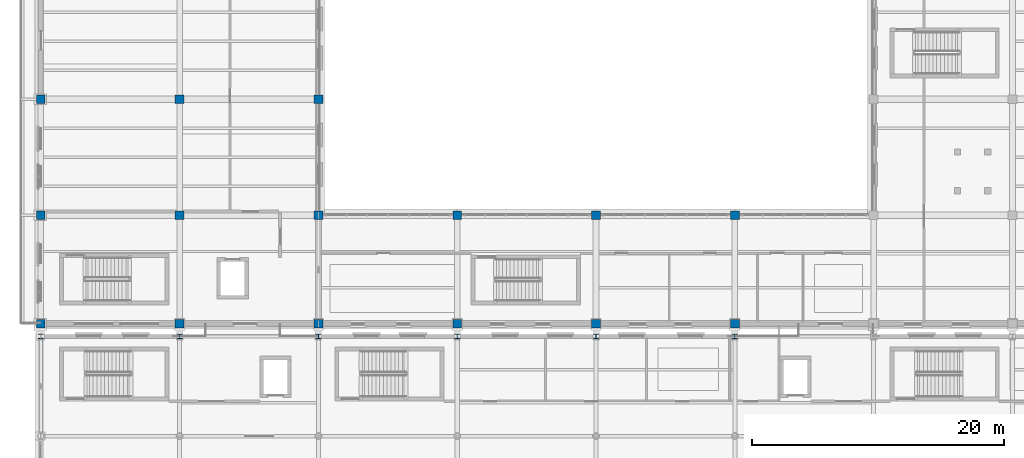
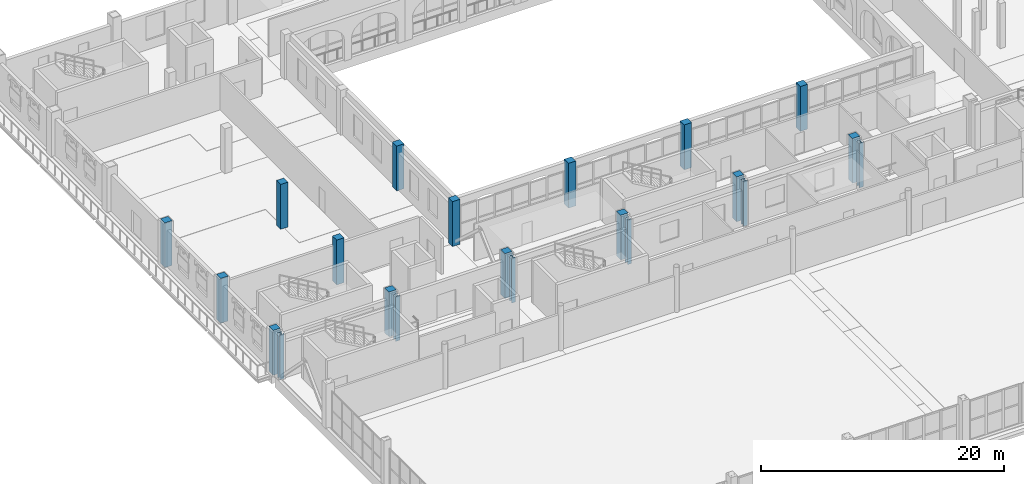
# One storey, part 5 of 156: 21 columns.
"""IFC4 building model written with IfcOpenShell, lengths in metres."""

from ifc_helpers import new_model, si_unit, direction, frame, origin, origin_2d, place, context, subcontext, project, spatial, rectangle, i_section, extrude, material, material_profile, profile_set, type_object, element, save


model = new_model("IFC4")

# Units and contexts
model_context = context("Model", 3, precision=1e-05, world=origin(), true_north=direction((0.0, 1.0)))
body_context = subcontext(model_context, "Body", "Model", "MODEL_VIEW")
ifc_project = project(units=[si_unit("LENGTHUNIT", "METRE"), si_unit("AREAUNIT", "SQUARE_METRE"), si_unit("VOLUMEUNIT", "CUBIC_METRE"), si_unit("PLANEANGLEUNIT", "RADIAN"), si_unit("MASSUNIT", "GRAM", prefix="KILO")], contexts=[model_context])

# Site, building, storey
site_placement = place(None, origin())
site = spatial("IfcSite", under=ifc_project, at=site_placement, CompositionType="ELEMENT")
building_placement = place(site_placement, origin())
building = spatial("IfcBuilding", under=site, at=building_placement, Name="Caurita Quay Ferry Terminal", CompositionType="ELEMENT")
storey_placement = place(building_placement, frame((0.0, 0.0, 5.39990234375)))
storey = spatial("IfcBuildingStorey", under=building, at=storey_placement, Name="L01", CompositionType="ELEMENT", Elevation=5.39990234375)

# Columns
ifc_material_1 = material(Name="Reinforced concrete C35/45", Category="concrete")
ifc_material_profile_1 = material_profile(ifc_material_1, rectangle(XDim=0.699951171875, YDim=0.699951171875, at=origin_2d()), Name="RC-COL-700X700")
ifc_profile_set_1 = profile_set([ifc_material_profile_1], Name="Reinforced concrete C35/45")
column_type_1 = type_object("IfcColumnType", Name="COL-RC-700", PredefinedType="COLUMN", material=ifc_profile_set_1)
for number, where, z_axis, x_axis, name in (
    (1, (0.0, 71.60009765625, 0.0), (0.0, 0.0, 1.0), (1.0, 0.0, 0.0), "L01 Column V5-01-L"),
    (2, (0.0, 80.199951171875, 0.0), (0.0, 0.0, 1.0), (1.0, 0.0, 0.0), "L01 Column V5-01-M"),
    (3, (0.0, 89.39990234375, 0.0), (0.0, 0.0, 1.0), (1.0, 0.0, 0.0), "L01 Column V5-01-N"),
    (4, (11.0, 71.60009765625, 0.0), (0.0, 0.0, 1.0), (1.0, 0.0, 0.0), "L01 Column V5-02-L"),
    (5, (11.0, 80.199951171875, 0.0), (0.0, 0.0, 1.0), (1.0, 0.0, 0.0), "L01 Column V5-02-M"),
    (6, (11.0, 89.39990234375, 0.0), (0.0, 0.0, 1.0), (1.0, 0.0, 0.0), "L01 Column V5-02-N"),
    (7, (22.0, 71.60009765625, 0.0), (0.0, 0.0, 1.0), (1.0, 0.0, 0.0), "L01 Column V5-03-L"),
    (8, (22.0, 80.199951171875, 0.0), (0.0, 0.0, 1.0), (1.0, 0.0, 0.0), "L01 Column V5-03-M"),
    (9, (22.0, 89.39990234375, 0.0), (0.0, 0.0, 1.0), (1.0, 0.0, 0.0), "L01 Column V5-03-N"),
    (10, (33.0, 71.60009765625, 0.0), (0.0, 0.0, 1.0), (1.0, 0.0, 0.0), "L01 Column V5-04-L"),
    (11, (33.0, 80.199951171875, 0.0), (0.0, 0.0, 1.0), (1.0, 0.0, 0.0), "L01 Column V5-04-M"),
    (12, (44.0, 71.60009765625, 0.0), (0.0, 0.0, 1.0), (1.0, 0.0, 0.0), "L01 Column V5-05-L"),
    (13, (44.0, 80.199951171875, 0.0), (0.0, 0.0, 1.0), (1.0, 0.0, 0.0), "L01 Column V5-05-M"),
    (14, (55.0, 71.60009765625, 0.0), (0.0, 0.0, 1.0), (1.0, 0.0, 0.0), "L01 Column V5-06-L"),
    (15, (55.0, 80.199951171875, 0.0), (0.0, 0.0, 1.0), (1.0, 0.0, 0.0), "L01 Column V5-06-M"),
):
    element("IfcColumn", number, at=place(storey_placement, frame(where, z_axis=z_axis, x_axis=x_axis)), inside=storey, type_object=column_type_1, Name=name, PredefinedType="COLUMN", context=body_context, shape_type="SweptSolid", body=[
        extrude(rectangle(XDim=0.699951171875, YDim=0.699951171875, at=origin_2d()), origin(), (0.0, 0.0, 1.0), 4.5),
    ])
ifc_material_2 = material(Name="Structural steel ASTM A992 Gr. 50", Category="steel")
ifc_material_profile_2 = material_profile(ifc_material_2, i_section(OverallWidth=0.393798828125, OverallDepth=0.3759765625, WebThickness=0.017333984375, FlangeThickness=0.027587890625, FilletRadius=0.017822265625, at=origin_2d()), Name="W14X145")
ifc_profile_set_2 = profile_set([ifc_material_profile_2], Name="Structural steel ASTM A992 Gr. 50")
column_type_2 = type_object("IfcColumnType", Name="COL-STL-06", PredefinedType="COLUMN", material=ifc_profile_set_2)
for number, where, z_axis, x_axis, name in (
    (16, (0.0, 70.60009765625, 0.0), (0.0, 0.0, 1.0), (1.0, 0.0, 0.0), "L01 Column V1-NTH-01-K"),
    (17, (11.0, 70.60009765625, 0.0), (0.0, 0.0, 1.0), (1.0, 0.0, 0.0), "L01 Column V1-NTH-02-K"),
    (18, (22.0, 70.60009765625, 0.0), (0.0, 0.0, 1.0), (1.0, 0.0, 0.0), "L01 Column V1-NTH-03-K"),
    (19, (33.0, 70.60009765625, 0.0), (0.0, 0.0, 1.0), (1.0, 0.0, 0.0), "L01 Column V1-NTH-04-K"),
    (20, (44.0, 70.60009765625, 0.0), (0.0, 0.0, 1.0), (1.0, 0.0, 0.0), "L01 Column V1-NTH-05-K"),
    (21, (55.0, 70.60009765625, 0.0), (0.0, 0.0, 1.0), (1.0, 0.0, 0.0), "L01 Column V1-NTH-06-K"),
):
    element("IfcColumn", number, at=place(storey_placement, frame(where, z_axis=z_axis, x_axis=x_axis)), inside=storey, type_object=column_type_2, Name=name, PredefinedType="COLUMN", context=body_context, shape_type="SweptSolid", body=[
        extrude(i_section(OverallWidth=0.393798828125, OverallDepth=0.3759765625, WebThickness=0.017333984375, FlangeThickness=0.027587890625, FilletRadius=0.017822265625, at=origin_2d()), origin(), (0.0, 0.0, 1.0), 4.5),
    ])

save(model, "model.ifc")
